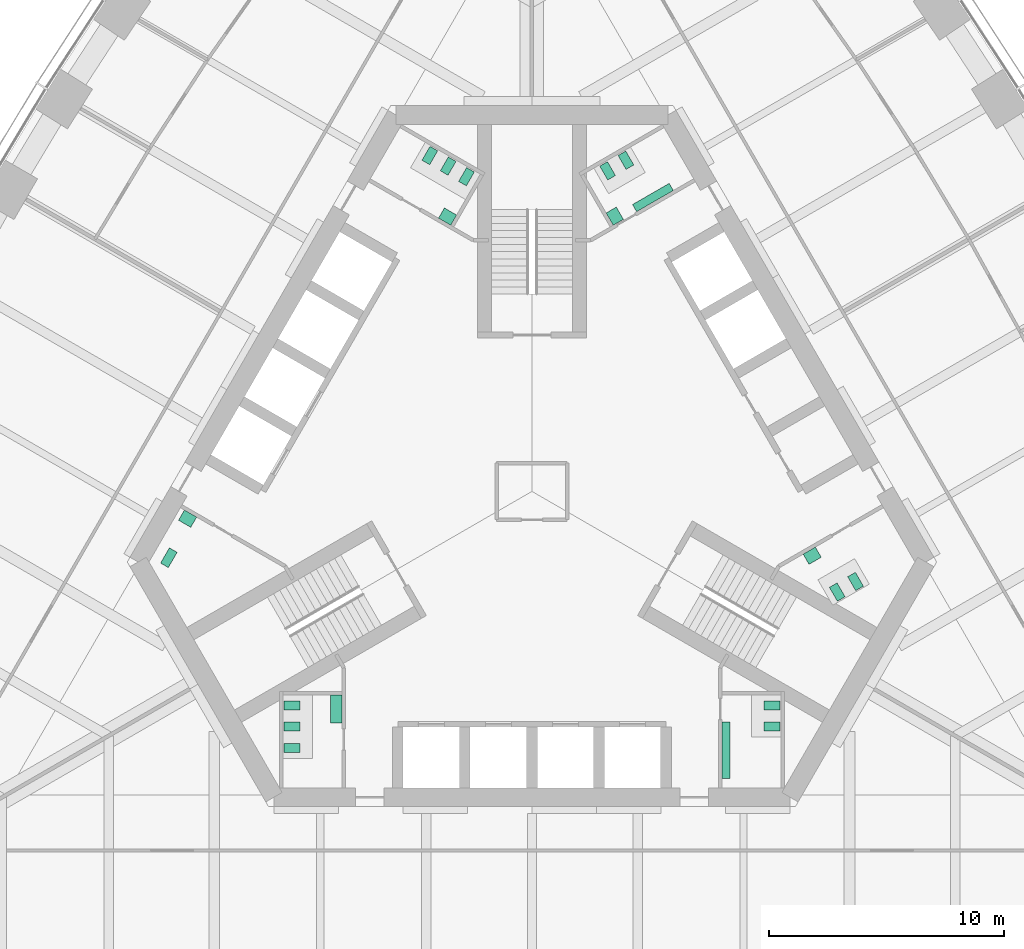
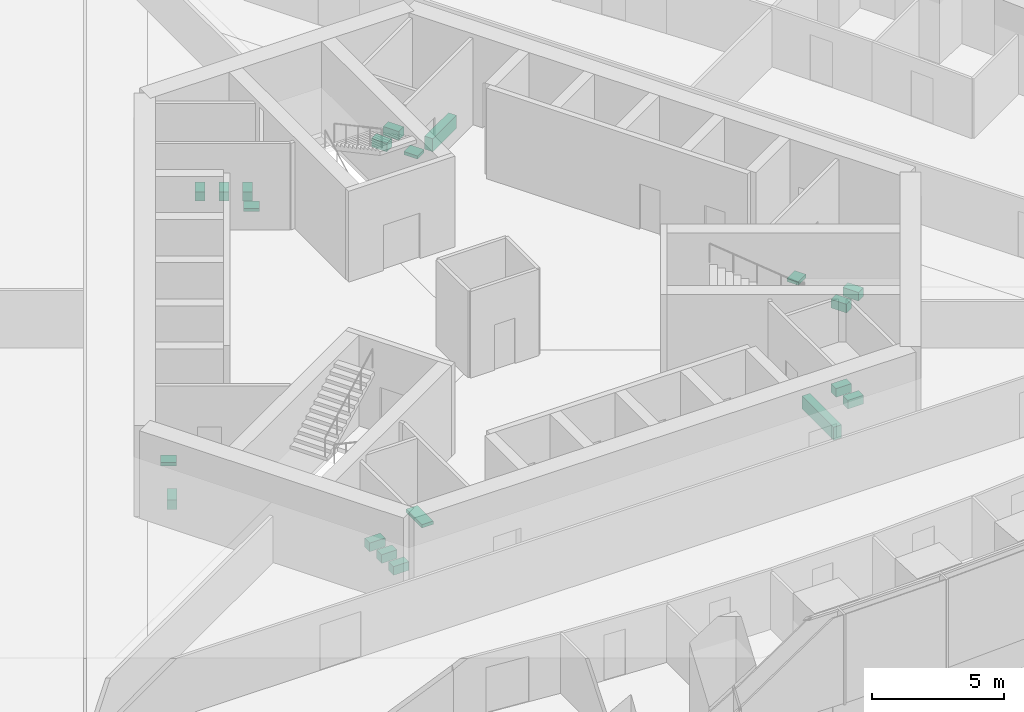
# One storey, part 18 of 19: 20 sanitary terminals.
"""IFC4 building model written with IfcOpenShell, lengths in metres."""

from ifc_helpers import new_model, si_unit, direction, frame, origin, place, context, subcontext, project, spatial, polyline, outline, extrude, material, type_object, element, save


model = new_model("IFC4")

# Units and contexts
model_context = context("Model", 3, precision=1e-05, world=origin(), true_north=direction((0.0, 1.0)))
body_context = subcontext(model_context, "Body", "Model", "MODEL_VIEW")
ifc_project = project(units=[si_unit("LENGTHUNIT", "METRE"), si_unit("AREAUNIT", "SQUARE_METRE"), si_unit("VOLUMEUNIT", "CUBIC_METRE"), si_unit("PLANEANGLEUNIT", "RADIAN"), si_unit("MASSUNIT", "GRAM", prefix="KILO")], contexts=[model_context])

# Site, building, storey
site_placement = place(None, origin())
site = spatial("IfcSite", under=ifc_project, at=site_placement, CompositionType="ELEMENT")
building_placement = place(site_placement, origin())
building = spatial("IfcBuilding", under=site, at=building_placement, Name="Trefoil Bronze Tower", CompositionType="ELEMENT")
storey_placement = place(building_placement, frame((0.0, 0.0, 166.10009765625)))
storey = spatial("IfcBuildingStorey", under=building, at=storey_placement, Name="L38", CompositionType="ELEMENT", Elevation=166.10009765625)

# Sanitary terminals
ifc_material_1 = material(Name="Vitreous china", Category="ceramic")
sanitary_terminal_type_1 = type_object("IfcSanitaryTerminalType", Name="Accessible WC pan", PredefinedType="TOILETPAN", material=ifc_material_1)
sanitary_terminal_1_placement = place(storey_placement, origin())
element("IfcSanitaryTerminal", 1, at=sanitary_terminal_1_placement, inside=storey, type_object=sanitary_terminal_type_1, Name="WC pan 1 Accessible WC L38", PredefinedType="TOILETPAN", context=body_context, shape_type="SweptSolid", body=[
    extrude(outline(polyline([(-15.085693359375, -2.589111328125), (-15.460693359375, -3.238525390625), (-15.789794921875, -3.048583984375), (-15.414794921875, -2.399169921875), (-15.085693359375, -2.589111328125)])), origin(), (0.0, 0.0, 1.0), 0.449951171875),
])
ifc_material_2 = material(Name="Vitreous china", Category="ceramic")
sanitary_terminal_type_2 = type_object("IfcSanitaryTerminalType", Name="Accessible basin", PredefinedType="WASHHANDBASIN", material=ifc_material_2)
sanitary_terminal_2_placement = place(storey_placement, frame((0.0, 0.0, 0.64990234375)))
element("IfcSanitaryTerminal", 2, at=sanitary_terminal_2_placement, inside=storey, type_object=sanitary_terminal_type_2, Name="Wash basin Accessible WC L38", PredefinedType="WASHHANDBASIN", context=body_context, shape_type="SweptSolid", body=[
    extrude(outline(polyline([(-14.256591796875, -1.09326171875), (-14.506591796875, -1.526123046875), (-15.026123046875, -1.22607421875), (-14.776123046875, -0.793212890625), (-14.256591796875, -1.09326171875)])), origin(), (0.0, 0.0, 1.0), 0.14990234375),
])
ifc_material_3 = material(Name="Vitreous china", Category="ceramic")
sanitary_terminal_type_3 = type_object("IfcSanitaryTerminalType", Name="Urinal range 3 urinals", PredefinedType="URINAL", material=ifc_material_3)
sanitary_terminal_3_placement = place(storey_placement, frame((0.0, 0.0, 0.39990234375)))
element("IfcSanitaryTerminal", 3, at=sanitary_terminal_3_placement, inside=storey, type_object=sanitary_terminal_type_3, Name="Urinal range WC (men) L38", PredefinedType="URINAL", context=body_context, shape_type="SweptSolid", body=[
    extrude(outline(polyline([(4.449462890625, 11.89306640625), (4.274658203125, 12.1962890625), (5.83349609375, 13.09619140625), (6.00830078125, 12.793212890625), (4.449462890625, 11.89306640625)])), origin(), (0.0, 0.0, 1.0), 0.60009765625),
])
ifc_material_4 = material(Name="Vitreous china", Category="ceramic")
sanitary_terminal_type_4 = type_object("IfcSanitaryTerminalType", Name="Urinal range 4 urinals", PredefinedType="URINAL", material=ifc_material_4)
sanitary_terminal_4_placement = place(storey_placement, frame((0.0, 0.0, 0.39990234375)))
element("IfcSanitaryTerminal", 4, at=sanitary_terminal_4_placement, inside=storey, type_object=sanitary_terminal_type_4, Name="Urinal range WC (men) L38", PredefinedType="URINAL", context=body_context, shape_type="SweptSolid", body=[
    extrude(outline(polyline([(8.074951171875, -9.800048828125), (8.425048828125, -9.800048828125), (8.425048828125, -12.199951171875), (8.074951171875, -12.199951171875), (8.074951171875, -9.800048828125)])), origin(), (0.0, 0.0, 1.0), 0.60009765625),
])
ifc_material_5 = material(Name="Solid surface vanity", Category="plastic")
sanitary_terminal_type_5 = type_object("IfcSanitaryTerminalType", Name="Vanity unit 1 basins", PredefinedType="WASHHANDBASIN", material=ifc_material_5)
sanitary_terminal_5_placement = place(storey_placement, frame((0.0, 0.0, 0.75)))
element("IfcSanitaryTerminal", 5, at=sanitary_terminal_5_placement, inside=storey, type_object=sanitary_terminal_type_5, Name="Vanity unit WC (women) L38", PredefinedType="WASHHANDBASIN", context=body_context, shape_type="SweptSolid", body=[
    extrude(outline(polyline([(11.528564453125, -2.668212890625), (11.778564453125, -3.10107421875), (12.29833984375, -2.80126953125), (12.04833984375, -2.3681640625), (11.528564453125, -2.668212890625)])), origin(), (0.0, 0.0, 1.0), 0.14990234375),
])
sanitary_terminal_6_placement = place(storey_placement, frame((0.0, 0.0, 0.75)))
element("IfcSanitaryTerminal", 6, at=sanitary_terminal_6_placement, inside=storey, type_object=sanitary_terminal_type_5, Name="Vanity unit WC (men) L38", PredefinedType="WASHHANDBASIN", context=body_context, shape_type="SweptSolid", body=[
    extrude(outline(polyline([(3.45361328125, 11.318115234375), (3.153564453125, 11.837890625), (3.586669921875, 12.087890625), (3.88671875, 11.568115234375), (3.45361328125, 11.318115234375)])), origin(), (0.0, 0.0, 1.0), 0.14990234375),
])
sanitary_terminal_7_placement = place(storey_placement, frame((0.0, 0.0, 0.75)))
element("IfcSanitaryTerminal", 7, at=sanitary_terminal_7_placement, inside=storey, type_object=sanitary_terminal_type_5, Name="Vanity unit WC (women) L38", PredefinedType="WASHHANDBASIN", context=body_context, shape_type="SweptSolid", body=[
    extrude(outline(polyline([(-3.45361328125, 11.318115234375), (-3.20361328125, 11.751220703125), (-3.72314453125, 12.05126953125), (-3.97314453125, 11.6181640625), (-3.45361328125, 11.318115234375)])), origin(), (0.0, 0.0, 1.0), 0.14990234375),
])
ifc_material_6 = material(Name="Solid surface vanity", Category="plastic")
sanitary_terminal_type_6 = type_object("IfcSanitaryTerminalType", Name="Vanity unit 2 basins", PredefinedType="WASHHANDBASIN", material=ifc_material_6)
sanitary_terminal_8_placement = place(storey_placement, frame((0.0, 0.0, 0.75)))
element("IfcSanitaryTerminal", 8, at=sanitary_terminal_8_placement, inside=storey, type_object=sanitary_terminal_type_6, Name="Vanity unit WC (women) L38", PredefinedType="WASHHANDBASIN", context=body_context, shape_type="SweptSolid", body=[
    extrude(outline(polyline([(-8.074951171875, -8.64990234375), (-8.574951171875, -8.64990234375), (-8.574951171875, -9.85009765625), (-8.074951171875, -9.85009765625), (-8.074951171875, -8.64990234375)])), origin(), (0.0, 0.0, 1.0), 0.14990234375),
])
ifc_material_7 = material(Name="Vitreous china", Category="ceramic")
sanitary_terminal_type_7 = type_object("IfcSanitaryTerminalType", Name="WC pan", PredefinedType="TOILETPAN", material=ifc_material_7)
sanitary_terminal_9_placement = place(storey_placement, origin())
element("IfcSanitaryTerminal", 9, at=sanitary_terminal_9_placement, inside=storey, type_object=sanitary_terminal_type_7, Name="WC pan 1 WC (men) L38", PredefinedType="TOILETPAN", context=body_context, shape_type="SweptSolid", body=[
    extrude(outline(polyline([(9.85498046875, -8.909912109375), (10.534912109375, -8.909912109375), (10.534912109375, -9.2900390625), (9.85498046875, -9.2900390625), (9.85498046875, -8.909912109375)])), origin(), (0.0, 0.0, 1.0), 0.39990234375),
])
sanitary_terminal_10_placement = place(storey_placement, origin())
element("IfcSanitaryTerminal", 10, at=sanitary_terminal_10_placement, inside=storey, type_object=sanitary_terminal_type_7, Name="WC pan 2 WC (men) L38", PredefinedType="TOILETPAN", context=body_context, shape_type="SweptSolid", body=[
    extrude(outline(polyline([(9.85498046875, -9.81005859375), (10.534912109375, -9.81005859375), (10.534912109375, -10.18994140625), (9.85498046875, -10.18994140625), (9.85498046875, -9.81005859375)])), origin(), (0.0, 0.0, 1.0), 0.39990234375),
])
sanitary_terminal_11_placement = place(storey_placement, origin())
element("IfcSanitaryTerminal", 11, at=sanitary_terminal_11_placement, inside=storey, type_object=sanitary_terminal_type_7, Name="WC pan 1 WC (women) L38", PredefinedType="TOILETPAN", context=body_context, shape_type="SweptSolid", body=[
    extrude(outline(polyline([(12.643798828125, -4.07958984375), (12.98388671875, -4.66845703125), (13.31298828125, -4.478515625), (12.972900390625, -3.8896484375), (12.643798828125, -4.07958984375)])), origin(), (0.0, 0.0, 1.0), 0.39990234375),
])
sanitary_terminal_12_placement = place(storey_placement, origin())
element("IfcSanitaryTerminal", 12, at=sanitary_terminal_12_placement, inside=storey, type_object=sanitary_terminal_type_7, Name="WC pan 2 WC (women) L38", PredefinedType="TOILETPAN", context=body_context, shape_type="SweptSolid", body=[
    extrude(outline(polyline([(13.423095703125, -3.629638671875), (13.76318359375, -4.218505859375), (14.09228515625, -4.028564453125), (13.752197265625, -3.439697265625), (13.423095703125, -3.629638671875)])), origin(), (0.0, 0.0, 1.0), 0.39990234375),
])
sanitary_terminal_13_placement = place(storey_placement, origin())
element("IfcSanitaryTerminal", 13, at=sanitary_terminal_13_placement, inside=storey, type_object=sanitary_terminal_type_7, Name="WC pan 1 WC (men) L38", PredefinedType="TOILETPAN", context=body_context, shape_type="SweptSolid", body=[
    extrude(outline(polyline([(3.2216796875, 13.23974609375), (2.8818359375, 13.82861328125), (3.2109375, 14.0185546875), (3.55078125, 13.4296875), (3.2216796875, 13.23974609375)])), origin(), (0.0, 0.0, 1.0), 0.39990234375),
])
sanitary_terminal_14_placement = place(storey_placement, origin())
element("IfcSanitaryTerminal", 14, at=sanitary_terminal_14_placement, inside=storey, type_object=sanitary_terminal_type_7, Name="WC pan 2 WC (men) L38", PredefinedType="TOILETPAN", context=body_context, shape_type="SweptSolid", body=[
    extrude(outline(polyline([(4.001220703125, 13.689697265625), (3.6611328125, 14.278564453125), (3.990234375, 14.468505859375), (4.330322265625, 13.879638671875), (4.001220703125, 13.689697265625)])), origin(), (0.0, 0.0, 1.0), 0.39990234375),
])
sanitary_terminal_15_placement = place(storey_placement, origin())
element("IfcSanitaryTerminal", 15, at=sanitary_terminal_15_placement, inside=storey, type_object=sanitary_terminal_type_7, Name="WC pan 1 WC (women) L38", PredefinedType="TOILETPAN", context=body_context, shape_type="SweptSolid", body=[
    extrude(outline(polyline([(-2.788818359375, 12.98974609375), (-2.44873046875, 13.57861328125), (-2.77783203125, 13.7685546875), (-3.117919921875, 13.1796875), (-2.788818359375, 12.98974609375)])), origin(), (0.0, 0.0, 1.0), 0.39990234375),
])
sanitary_terminal_16_placement = place(storey_placement, origin())
element("IfcSanitaryTerminal", 16, at=sanitary_terminal_16_placement, inside=storey, type_object=sanitary_terminal_type_7, Name="WC pan 2 WC (women) L38", PredefinedType="TOILETPAN", context=body_context, shape_type="SweptSolid", body=[
    extrude(outline(polyline([(-3.568115234375, 13.439697265625), (-3.228271484375, 14.028564453125), (-3.557373046875, 14.218505859375), (-3.897216796875, 13.629638671875), (-3.568115234375, 13.439697265625)])), origin(), (0.0, 0.0, 1.0), 0.39990234375),
])
sanitary_terminal_17_placement = place(storey_placement, origin())
element("IfcSanitaryTerminal", 17, at=sanitary_terminal_17_placement, inside=storey, type_object=sanitary_terminal_type_7, Name="WC pan 3 WC (women) L38", PredefinedType="TOILETPAN", context=body_context, shape_type="SweptSolid", body=[
    extrude(outline(polyline([(-4.34765625, 13.8896484375), (-4.007568359375, 14.478515625), (-4.336669921875, 14.66845703125), (-4.6767578125, 14.07958984375), (-4.34765625, 13.8896484375)])), origin(), (0.0, 0.0, 1.0), 0.39990234375),
])
sanitary_terminal_18_placement = place(storey_placement, origin())
element("IfcSanitaryTerminal", 18, at=sanitary_terminal_18_placement, inside=storey, type_object=sanitary_terminal_type_7, Name="WC pan 1 WC (women) L38", PredefinedType="TOILETPAN", context=body_context, shape_type="SweptSolid", body=[
    extrude(outline(polyline([(-9.85498046875, -8.909912109375), (-10.534912109375, -8.909912109375), (-10.534912109375, -9.2900390625), (-9.85498046875, -9.2900390625), (-9.85498046875, -8.909912109375)])), origin(), (0.0, 0.0, 1.0), 0.39990234375),
])
sanitary_terminal_19_placement = place(storey_placement, origin())
element("IfcSanitaryTerminal", 19, at=sanitary_terminal_19_placement, inside=storey, type_object=sanitary_terminal_type_7, Name="WC pan 2 WC (women) L38", PredefinedType="TOILETPAN", context=body_context, shape_type="SweptSolid", body=[
    extrude(outline(polyline([(-9.85498046875, -9.81005859375), (-10.534912109375, -9.81005859375), (-10.534912109375, -10.18994140625), (-9.85498046875, -10.18994140625), (-9.85498046875, -9.81005859375)])), origin(), (0.0, 0.0, 1.0), 0.39990234375),
])
sanitary_terminal_20_placement = place(storey_placement, origin())
element("IfcSanitaryTerminal", 20, at=sanitary_terminal_20_placement, inside=storey, type_object=sanitary_terminal_type_7, Name="WC pan 3 WC (women) L38", PredefinedType="TOILETPAN", context=body_context, shape_type="SweptSolid", body=[
    extrude(outline(polyline([(-9.85498046875, -10.7099609375), (-10.534912109375, -10.7099609375), (-10.534912109375, -11.090087890625), (-9.85498046875, -11.090087890625), (-9.85498046875, -10.7099609375)])), origin(), (0.0, 0.0, 1.0), 0.39990234375),
])

save(model, "model.ifc")
